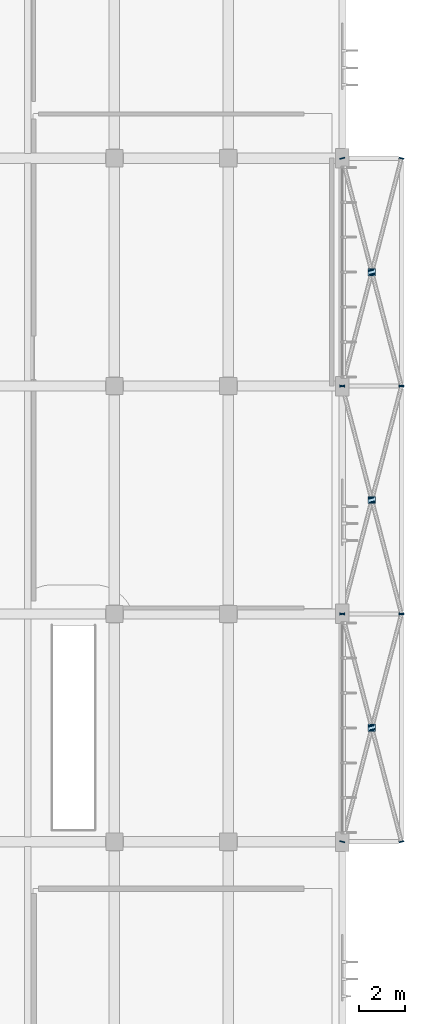
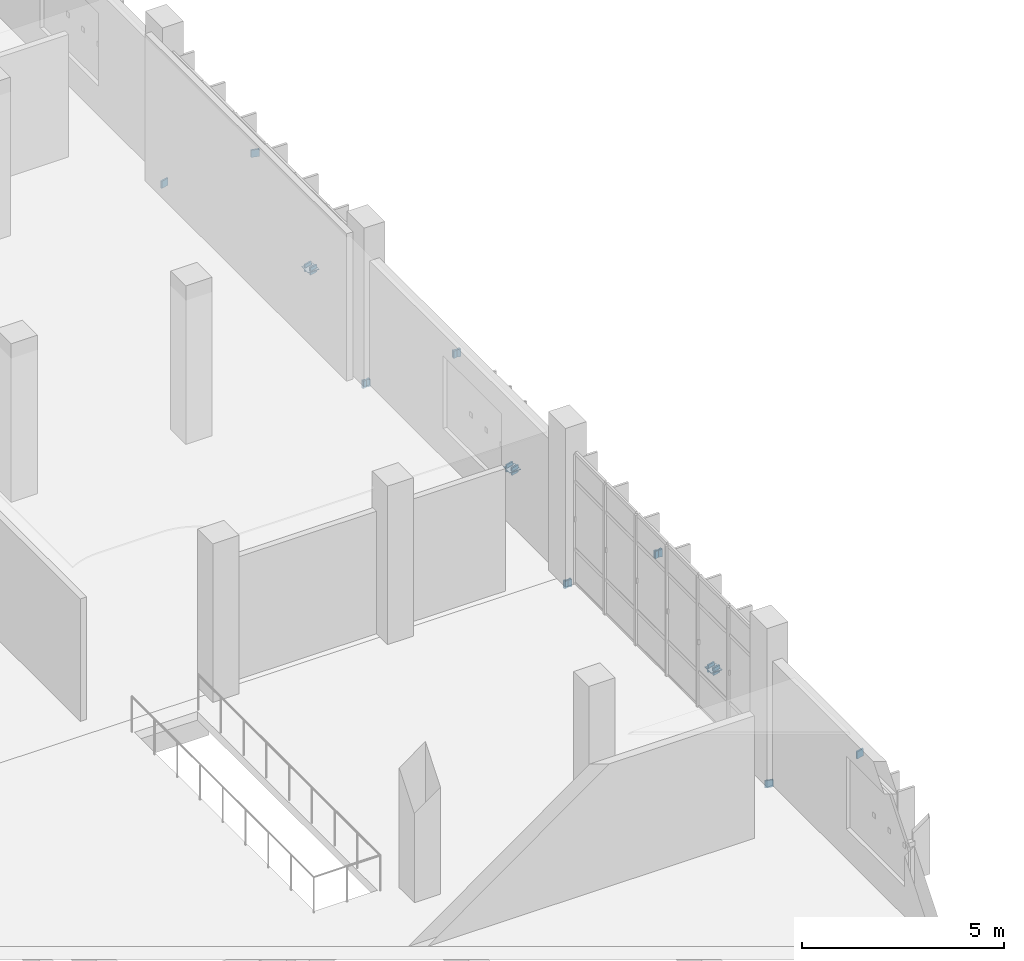
# One storey, part 113 of 179: 21 plates.
"""IFC4 building model written with IfcOpenShell, lengths in metres."""

from ifc_helpers import new_model, si_unit, direction, frame, origin, origin_2d, place, context, subcontext, project, spatial, rectangle, extrude, material, layer, layer_set, type_object, element, save


model = new_model("IFC4")

# Units and contexts
model_context = context("Model", 3, precision=1e-05, world=origin(), true_north=direction((0.0, 1.0)))
body_context = subcontext(model_context, "Body", "Model", "MODEL_VIEW")
ifc_project = project(units=[si_unit("LENGTHUNIT", "METRE"), si_unit("AREAUNIT", "SQUARE_METRE"), si_unit("VOLUMEUNIT", "CUBIC_METRE"), si_unit("PLANEANGLEUNIT", "RADIAN"), si_unit("MASSUNIT", "GRAM", prefix="KILO")], contexts=[model_context])

# Site, building, storey
site_placement = place(None, origin())
site = spatial("IfcSite", under=ifc_project, at=site_placement, CompositionType="ELEMENT")
building_placement = place(site_placement, origin())
building = spatial("IfcBuilding", under=site, at=building_placement, Name="Corvandel Quay Wholesale Market", CompositionType="ELEMENT")
storey_placement = place(building_placement, frame((0.0, 0.0, 6.0)))
storey = spatial("IfcBuildingStorey", under=building, at=storey_placement, Name="L01", CompositionType="ELEMENT", Elevation=6.0)

# Plates
ifc_material = material(Name="Steel A572 Grade 50", Category="steel")
ifc_layer_1 = layer(ifc_material, 0.044921875)
ifc_layer_set_1 = layer_set([ifc_layer_1], Name="Steel A572 Grade 50")
plate_type_1 = type_object("IfcPlateType", Name="Steel Brace End Cap Plate PLT02 45mm", PredefinedType="SHEET", material=ifc_layer_set_1)
for number, where, z_axis, x_axis, name in (
    (1, (248.00048828125, 40.001953125, -0.35986328125), (0.0, 0.0, 1.0), (-0.967841021032, 0.251562632376, 0.0), "HSS Cap Plate PLT-0128"),
    (2, (250.599609375, 49.998046875, -0.35986328125), (0.0, 0.0, 1.0), (-0.967841021032, 0.251562632376, 0.0), "HSS Cap Plate PLT-0129"),
    (3, (250.599609375, 40.001953125, -0.35986328125), (0.0, 0.0, 1.0), (0.967841021032, 0.251562632376, 0.0), "HSS Cap Plate PLT-0131"),
    (4, (249.324462890625, 44.90625, -0.35986328125), (0.0, 0.0, 1.0), (0.967841021032, 0.251562632376, 0.0), "HSS Cap Plate PLT-0132"),
    (5, (249.275634765625, 45.09375, -0.35986328125), (0.0, 0.0, 1.0), (0.967841021032, 0.251562632376, 0.0), "HSS Cap Plate PLT-0133"),
    (6, (248.00048828125, 49.998046875, -0.35986328125), (0.0, 0.0, 1.0), (0.967841021032, 0.251562632376, 0.0), "HSS Cap Plate PLT-0134"),
    (7, (248.00048828125, 50.001953125, -0.35986328125), (0.0, 0.0, 1.0), (-0.967841021032, 0.251562632376, 0.0), "HSS Cap Plate PLT-0135"),
    (8, (250.599609375, 59.998046875, -0.35986328125), (0.0, 0.0, 1.0), (-0.967841021032, 0.251562632376, 0.0), "HSS Cap Plate PLT-0136"),
    (9, (250.599609375, 50.001953125, -0.35986328125), (0.0, 0.0, 1.0), (0.967841021032, 0.251562632376, 0.0), "HSS Cap Plate PLT-0138"),
    (10, (249.324462890625, 54.90625, -0.35986328125), (0.0, 0.0, 1.0), (0.967841021032, 0.251562632376, 0.0), "HSS Cap Plate PLT-0139"),
    (11, (249.275634765625, 55.09375, -0.35986328125), (0.0, 0.0, 1.0), (0.967841021032, 0.251562632376, 0.0), "HSS Cap Plate PLT-0140"),
    (12, (248.00048828125, 59.998046875, -0.35986328125), (0.0, 0.0, 1.0), (0.967841021032, 0.251562632376, 0.0), "HSS Cap Plate PLT-0141"),
    (13, (248.00048828125, 60.001953125, -0.35986328125), (0.0, 0.0, 1.0), (-0.967841021032, 0.251562632376, 0.0), "HSS Cap Plate PLT-0142"),
    (14, (250.599609375, 69.998046875, -0.35986328125), (0.0, 0.0, 1.0), (-0.967841021032, 0.251562632376, 0.0), "HSS Cap Plate PLT-0143"),
    (15, (250.599609375, 60.001953125, -0.35986328125), (0.0, 0.0, 1.0), (0.967841021032, 0.251562632376, 0.0), "HSS Cap Plate PLT-0145"),
    (16, (249.324462890625, 64.90625, -0.35986328125), (0.0, 0.0, 1.0), (0.967841021032, 0.251562632376, 0.0), "HSS Cap Plate PLT-0146"),
    (17, (249.275634765625, 65.09375, -0.35986328125), (0.0, 0.0, 1.0), (0.967841021032, 0.251562632376, 0.0), "HSS Cap Plate PLT-0147"),
    (18, (248.00048828125, 69.998046875, -0.35986328125), (0.0, 0.0, 1.0), (0.967841021032, 0.251562632376, 0.0), "HSS Cap Plate PLT-0148"),
):
    element("IfcPlate", number, at=place(storey_placement, frame(where, z_axis=z_axis, x_axis=x_axis)), inside=storey, type_object=plate_type_1, Name=name, PredefinedType="SHEET", context=body_context, shape_type="SweptSolid", body=[
        extrude(rectangle(XDim=0.219970703125, YDim=0.044921875, at=origin_2d()), origin(), (0.0, 0.0, 1.0), 0.219970703125),
    ])
ifc_layer_2 = layer(ifc_material, 0.02001953125)
ifc_layer_set_2 = layer_set([ifc_layer_2], Name="Steel A572 Grade 50")
plate_type_2 = type_object("IfcPlateType", Name="Steel HSS End Cap Plate PLT01 20mm", PredefinedType="SHEET", material=ifc_layer_set_2)
for number, where, z_axis, x_axis, name in (
    (19, (249.300048828125, 45.0, -0.260009765625), (0.0, 0.0, 1.0), (1.0, 0.0, 0.0), "X-Brace Node Gusset PLT-0130"),
    (20, (249.300048828125, 55.0, -0.260009765625), (0.0, 0.0, 1.0), (1.0, 0.0, 0.0), "X-Brace Node Gusset PLT-0137"),
    (21, (249.300048828125, 65.0, -0.260009765625), (0.0, 0.0, 1.0), (1.0, 0.0, 0.0), "X-Brace Node Gusset PLT-0144"),
):
    element("IfcPlate", number, at=place(storey_placement, frame(where, z_axis=z_axis, x_axis=x_axis)), inside=storey, type_object=plate_type_2, Name=name, PredefinedType="SHEET", context=body_context, shape_type="SweptSolid", body=[
        extrude(rectangle(XDim=0.320068359375, YDim=0.320068359375, at=origin_2d()), origin(), (0.0, 0.0, 1.0), 0.02001953125),
    ])

save(model, "model.ifc")
